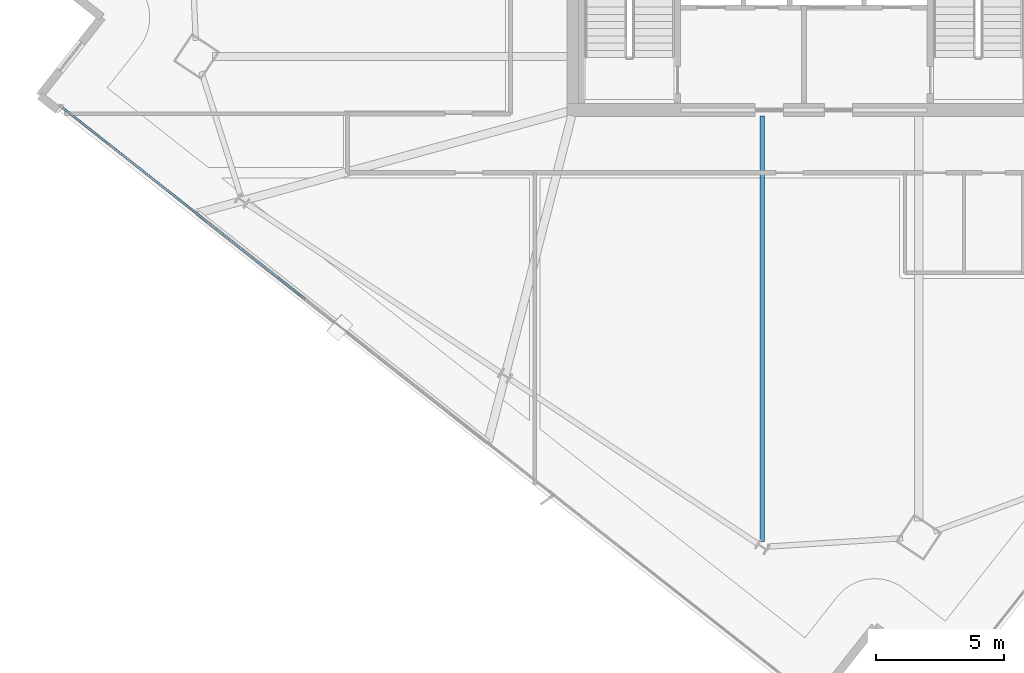
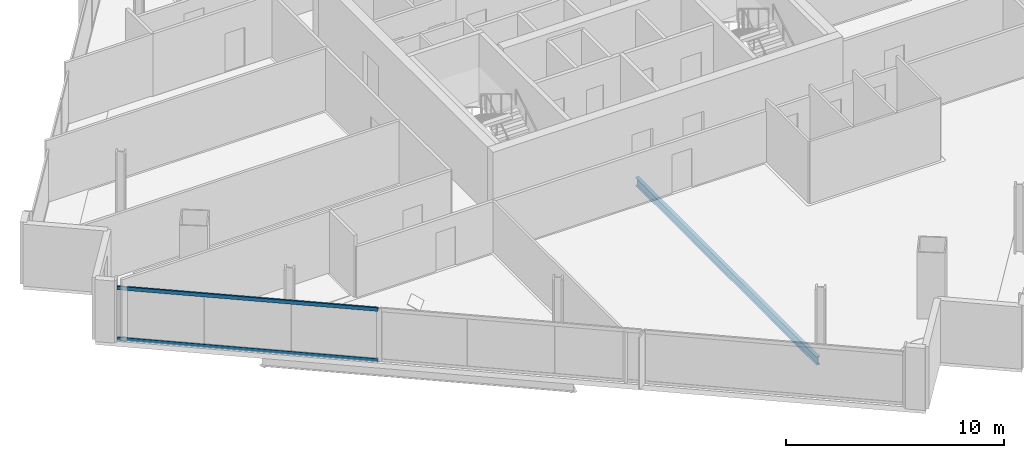
# One storey, part 4 of 28: 2 members, 1 beam, 1 element without a shape of its own.
"""IFC4 building model written with IfcOpenShell, lengths in metres."""

from ifc_helpers import new_model, si_unit, direction, frame, origin, origin_2d, place, context, subcontext, project, spatial, hollow_rectangle, i_section, extrude, material, material_profile, profile_set, type_object, element, aggregate, save


model = new_model("IFC4")

# Units and contexts
model_context = context("Model", 3, precision=1e-05, world=origin(), true_north=direction((0.0, 1.0)))
body_context = subcontext(model_context, "Body", "Model", "MODEL_VIEW")
ifc_project = project(units=[si_unit("LENGTHUNIT", "METRE"), si_unit("AREAUNIT", "SQUARE_METRE"), si_unit("VOLUMEUNIT", "CUBIC_METRE"), si_unit("PLANEANGLEUNIT", "RADIAN"), si_unit("MASSUNIT", "GRAM", prefix="KILO")], contexts=[model_context])

# Site, building, storey
site_placement = place(None, origin())
site = spatial("IfcSite", under=ifc_project, at=site_placement, CompositionType="ELEMENT")
building_placement = place(site_placement, origin())
building = spatial("IfcBuilding", under=site, at=building_placement, Name="Haldenkirk Collegiate Tower", CompositionType="ELEMENT")
storey_placement = place(building_placement, frame((0.0, 0.0, 202.199951171875)))
storey = spatial("IfcBuildingStorey", under=building, at=storey_placement, Name="L50", CompositionType="ELEMENT", Elevation=202.199951171875)

# Beam
ifc_material_1 = material(Name="Steel ASTM A992 Grade 50", Category="steel")
ifc_material_profile_1 = material_profile(ifc_material_1, i_section(OverallWidth=0.18994140625, OverallDepth=0.45703125, WebThickness=0.009033203125, FlangeThickness=0.014404296875, at=origin_2d()), Name="W18X50")
ifc_profile_set_1 = profile_set([ifc_material_profile_1], Name="Steel ASTM A992 Grade 50")
beam_type = type_object("IfcBeamType", Name="BM-JOIST-W18X50", PredefinedType="JOIST", material=ifc_profile_set_1)
beam_placement = place(storey_placement, frame((34.376708984375, 1.16943359375, -0.508544921875), z_axis=(0.0, 1.0, 0.0), x_axis=(-1.0, 0.0, 0.0)))
element("IfcBeam", 1, at=beam_placement, inside=storey, type_object=beam_type, Name="L50 composite floor joist 16", PredefinedType="JOIST", context=body_context, shape_type="SweptSolid", body=[
    extrude(i_section(OverallWidth=0.18994140625, OverallDepth=0.45703125, WebThickness=0.009033203125, FlangeThickness=0.014404296875, at=origin_2d()), origin(), (0.0, 0.0, 1.0), 16.6005859375),
])

# Curtain wall, members
ifc_material_2 = material(Name="Anodised architectural bronze aluminium", Category="aluminium")
curtain_wall_type = type_object("IfcCurtainWallType", Name="CW-SYS1B-CONVEX-HI", PredefinedType="USERDEFINED", material=ifc_material_2)
curtain_wall_placement = place(storey_placement, origin())
curtain_wall = element("IfcCurtainWall", 2, at=curtain_wall_placement, inside=storey, type_object=curtain_wall_type, Name="L50 Upper tower high-wind convex bronze unitised curtain wall", ObjectType="UNITISED CURTAIN WALL", PredefinedType="USERDEFINED")
ifc_material_profile_2 = material_profile(ifc_material_2, hollow_rectangle(XDim=0.0849609375, YDim=0.199951171875, WallThickness=0.0048828125, at=origin_2d()), Name="CW-TRN-1B")
ifc_profile_set_2 = profile_set([ifc_material_profile_2], Name="Anodised architectural bronze aluminium")
member_type = type_object("IfcMemberType", Name="CW-TRN-1B", PredefinedType="USERDEFINED", material=ifc_profile_set_2)
member_1_placement = place(storey_placement, frame((16.557861328125, 10.61328125, 0.04248046875), z_axis=(-0.785311707733, 0.619100574783, 0.0), x_axis=(-0.619100574783, -0.785311707733, 0.0)))
member_1 = element("IfcMember", 3, at=member_1_placement, type_object=member_type, Name="CW-1B transom 3.1", ObjectType="TRANSOM", PredefinedType="USERDEFINED", context=body_context, shape_type="SweptSolid", body=[
    extrude(hollow_rectangle(XDim=0.0849609375, YDim=0.199951171875, WallThickness=0.0048828125, at=origin_2d()), origin(), (0.0, 0.0, 1.0), 12.072509765625),
])
member_2_placement = place(storey_placement, frame((16.557861328125, 10.61328125, 2.885498046875), z_axis=(-0.785311707733, 0.619100574783, 0.0), x_axis=(-0.619100574783, -0.785311707733, 0.0)))
member_2 = element("IfcMember", 4, at=member_2_placement, type_object=member_type, Name="CW-1B transom 3.2", ObjectType="TRANSOM", PredefinedType="USERDEFINED", context=body_context, shape_type="SweptSolid", body=[
    extrude(hollow_rectangle(XDim=0.0849609375, YDim=0.199951171875, WallThickness=0.0048828125, at=origin_2d()), origin(), (0.0, 0.0, 1.0), 12.072509765625),
])
aggregate(curtain_wall, [member_1, member_2])

save(model, "model.ifc")
